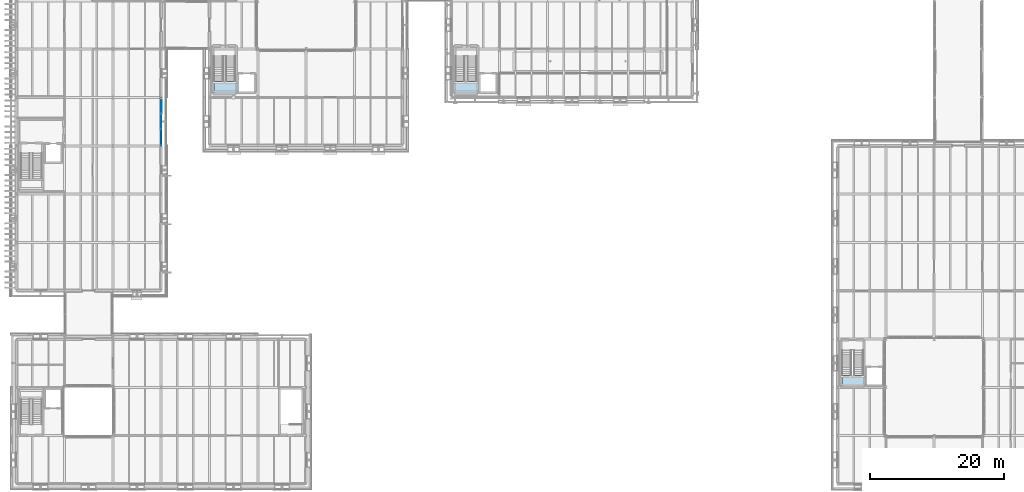
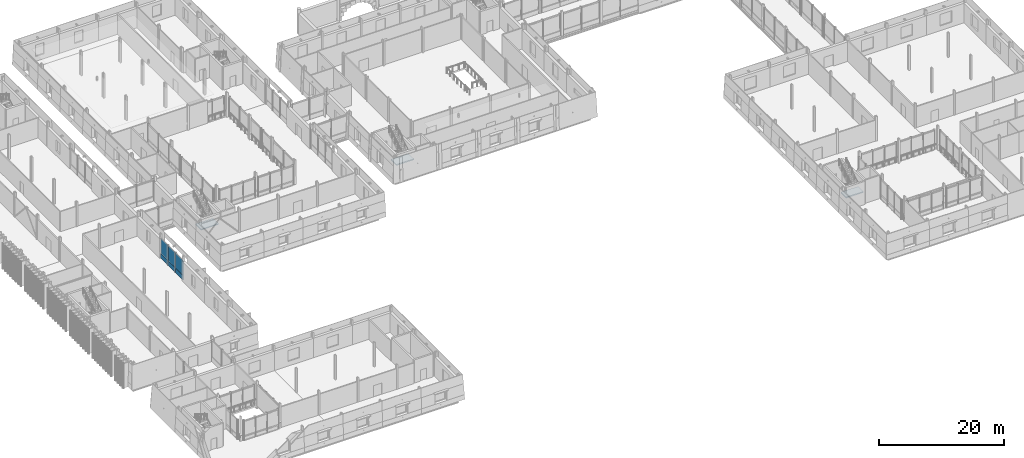
# One storey, part 56 of 121: 6 plates, 3 slabs, 4 elements without a shape of their own.
"""IFC4 building model written with IfcOpenShell, lengths in metres."""

from ifc_helpers import new_model, si_unit, direction, frame, origin, origin_2d, place, context, subcontext, project, spatial, polyline, rectangle, outline, extrude, material, layer, layer_set, type_object, element, aggregate, save


model = new_model("IFC4")

# Units and contexts
model_context = context("Model", 3, precision=1e-05, world=origin(), true_north=direction((0.0, 1.0)))
body_context = subcontext(model_context, "Body", "Model", "MODEL_VIEW")
ifc_project = project(units=[si_unit("LENGTHUNIT", "METRE"), si_unit("AREAUNIT", "SQUARE_METRE"), si_unit("VOLUMEUNIT", "CUBIC_METRE"), si_unit("PLANEANGLEUNIT", "RADIAN"), si_unit("MASSUNIT", "GRAM", prefix="KILO")], contexts=[model_context])

# Site, building, storey
site_placement = place(None, origin())
site = spatial("IfcSite", under=ifc_project, at=site_placement, CompositionType="ELEMENT")
building_placement = place(site_placement, origin())
building = spatial("IfcBuilding", under=site, at=building_placement, Name="Narikvali Park Central Library", CompositionType="ELEMENT")
storey_placement = place(building_placement, frame((0.0, 0.0, 5.39990234375)))
storey = spatial("IfcBuildingStorey", under=building, at=storey_placement, Name="L01", CompositionType="ELEMENT", Elevation=5.39990234375)

# Curtain wall, plates
ifc_material_1 = material(Name="Anodised Bronze Aluminium", Category="aluminium")
ifc_layer_1 = layer(ifc_material_1, 0.219970703125, Name="Anodised Bronze Aluminium")
ifc_layer_set_1 = layer_set([ifc_layer_1], Name="Anodised Bronze Aluminium")
curtain_wall_type = type_object("IfcCurtainWallType", Name="Atrium Tall Curtain Wall System", PredefinedType="NOTDEFINED", material=ifc_layer_set_1)
curtain_wall_placement = place(storey_placement, origin())
curtain_wall = element("IfcCurtainWall", 1, at=curtain_wall_placement, inside=storey, type_object=curtain_wall_type, Name="Atrium Tall Curtain Wall System CW-V5-L01-E-04", PredefinedType="NOTDEFINED")
ifc_material_2 = material(Name="Anodised Bronze Acoustic Spandrel Cassette")
ifc_layer_2 = layer(ifc_material_2, 0.1650390625, Name="Anodised Bronze Acoustic Spandrel Cassette")
ifc_layer_set_2 = layer_set([ifc_layer_2], Name="Anodised Bronze Acoustic Spandrel Cassette")
plate_type_1 = type_object("IfcPlateType", Name="Curtain Wall Acoustic Plenum Louvre Cassette 165", PredefinedType="CURTAIN_PANEL", material=ifc_layer_set_2)
plate_1_placement = place(storey_placement, frame((21.60009765625, 51.625244140625, 0.03515625), z_axis=(0.0, 0.0, 1.0), x_axis=(0.0, 1.0, 0.0)))
plate_1 = element("IfcPlate", 2, at=plate_1_placement, type_object=plate_type_1, Name="CW-V5-L01-E-04 Panel 00-0", PredefinedType="CURTAIN_PANEL", context=body_context, shape_type="SweptSolid", body=[
    extrude(rectangle(XDim=2.36474609375, YDim=0.1650390625, at=origin_2d()), origin(), (0.0, 0.0, 1.0), 0.860107421875),
])
ifc_material_3 = material(Name="Double Low-E Tempered Vision Glazing", Category="glass")
ifc_layer_3 = layer(ifc_material_3, 0.035888671875, Name="Double Low-E Tempered Vision Glazing")
ifc_layer_set_3 = layer_set([ifc_layer_3], Name="Double Low-E Tempered Vision Glazing")
plate_type_2 = type_object("IfcPlateType", Name="Curtain Wall Double Low-E Vision Glazing 36", PredefinedType="CURTAIN_PANEL", material=ifc_layer_set_3)
plate_2_placement = place(storey_placement, frame((21.60009765625, 51.625244140625, 0.905029296875), z_axis=(0.0, 0.0, 1.0), x_axis=(0.0, 1.0, 0.0)))
plate_2 = element("IfcPlate", 3, at=plate_2_placement, type_object=plate_type_2, Name="CW-V5-L01-E-04 Panel 00-1", PredefinedType="CURTAIN_PANEL", context=body_context, shape_type="SweptSolid", body=[
    extrude(rectangle(XDim=2.36474609375, YDim=0.035888671875, at=origin_2d()), origin(), (0.0, 0.0, 1.0), 2.93994140625),
])
plate_3_placement = place(storey_placement, frame((21.60009765625, 54.0, 0.905029296875), z_axis=(0.0, 0.0, 1.0), x_axis=(0.0, 1.0, 0.0)))
plate_3 = element("IfcPlate", 4, at=plate_3_placement, type_object=plate_type_2, Name="CW-V5-L01-E-04 Panel 01-1", PredefinedType="CURTAIN_PANEL", context=body_context, shape_type="SweptSolid", body=[
    extrude(rectangle(XDim=2.36474609375, YDim=0.035888671875, at=origin_2d()), origin(), (0.0, 0.0, 1.0), 2.93994140625),
])
plate_4_placement = place(storey_placement, frame((21.60009765625, 56.374755859375, 0.905029296875), z_axis=(0.0, 0.0, 1.0), x_axis=(0.0, 1.0, 0.0)))
plate_4 = element("IfcPlate", 5, at=plate_4_placement, type_object=plate_type_2, Name="CW-V5-L01-E-04 Panel 02-1", PredefinedType="CURTAIN_PANEL", context=body_context, shape_type="SweptSolid", body=[
    extrude(rectangle(XDim=2.36474609375, YDim=0.035888671875, at=origin_2d()), origin(), (0.0, 0.0, 1.0), 2.93994140625),
])
ifc_material_4 = material(Name="Anodised Bronze Insulated Spandrel Cassette")
ifc_layer_4 = layer(ifc_material_4, 0.110107421875, Name="Anodised Bronze Insulated Spandrel Cassette")
ifc_layer_set_4 = layer_set([ifc_layer_4], Name="Anodised Bronze Insulated Spandrel Cassette")
plate_type_3 = type_object("IfcPlateType", Name="Curtain Wall Insulated Bronze Spandrel Cassette 110", PredefinedType="CURTAIN_PANEL", material=ifc_layer_set_4)
plate_5_placement = place(storey_placement, frame((21.60009765625, 54.0, 0.03515625), z_axis=(0.0, 0.0, 1.0), x_axis=(0.0, 1.0, 0.0)))
plate_5 = element("IfcPlate", 6, at=plate_5_placement, type_object=plate_type_3, Name="CW-V5-L01-E-04 Panel 01-0", PredefinedType="CURTAIN_PANEL", context=body_context, shape_type="SweptSolid", body=[
    extrude(rectangle(XDim=2.36474609375, YDim=0.110107421875, at=origin_2d()), origin(), (0.0, 0.0, 1.0), 0.860107421875),
])
ifc_material_5 = material(Name="Mineral-Wool Shadow-Box Spandrel Assembly")
ifc_layer_5 = layer(ifc_material_5, 0.139892578125, Name="Mineral-Wool Shadow-Box Spandrel Assembly")
ifc_layer_set_5 = layer_set([ifc_layer_5], Name="Mineral-Wool Shadow-Box Spandrel Assembly")
plate_type_4 = type_object("IfcPlateType", Name="Curtain Wall Shadow-Box Mineral Spandrel Panel 140", PredefinedType="CURTAIN_PANEL", material=ifc_layer_set_5)
plate_6_placement = place(storey_placement, frame((21.60009765625, 56.374755859375, 0.03515625), z_axis=(0.0, 0.0, 1.0), x_axis=(0.0, 1.0, 0.0)))
plate_6 = element("IfcPlate", 7, at=plate_6_placement, type_object=plate_type_4, Name="CW-V5-L01-E-04 Panel 02-0", PredefinedType="CURTAIN_PANEL", context=body_context, shape_type="SweptSolid", body=[
    extrude(rectangle(XDim=2.36474609375, YDim=0.139892578125, at=origin_2d()), origin(), (0.0, 0.0, 1.0), 0.860107421875),
])
aggregate(curtain_wall, [plate_1, plate_2, plate_5, plate_3, plate_6, plate_4])

# Stair, slab
ifc_material_6 = material(Name="Concrete C35/45", Category="concrete")
stair_type = type_object("IfcStairType", Name="Core Enclosed Two-Flight Exit Stair", PredefinedType="HALF_TURN_STAIR", material=ifc_material_6)
stair_1_placement = place(storey_placement, origin())
stair_1 = element("IfcStair", 8, at=stair_1_placement, inside=storey, type_object=stair_type, Name="L01 Exit Stair ST-01", PredefinedType="HALF_TURN_STAIR")
ifc_layer_6 = layer(ifc_material_6, 0.199951171875, Name="Concrete C35/45")
ifc_layer_set_6 = layer_set([ifc_layer_6], Name="Concrete C35/45")
slab_type = type_object("IfcSlabType", Name="Stair Half-Landing Concrete Slab 200", PredefinedType="LANDING", material=ifc_layer_set_6)
slab_1_placement = place(storey_placement, frame((0.0, 0.0, 2.2001953125)))
slab_1 = element("IfcSlab", 9, at=slab_1_placement, type_object=slab_type, Name="ST-01 landing 1", PredefinedType="LANDING", context=body_context, shape_type="SweptSolid", body=[
    extrude(outline(polyline([(65.449951171875, 60.044921875), (65.449951171875, 58.300048828125), (68.64990234375, 58.300048828125), (68.64990234375, 60.044921875), (65.449951171875, 60.044921875)])), origin(), (0.0, 0.0, 1.0), 0.199951171875),
])
aggregate(stair_1, [slab_1])

stair_2_placement = place(storey_placement, origin())
stair_2 = element("IfcStair", 10, at=stair_2_placement, inside=storey, type_object=stair_type, Name="L01 Exit Stair ST-07", PredefinedType="HALF_TURN_STAIR")
slab_2_placement = place(storey_placement, frame((0.0, 0.0, 2.2001953125)))
slab_2 = element("IfcSlab", 11, at=slab_2_placement, type_object=slab_type, Name="ST-07 landing 1", PredefinedType="LANDING", context=body_context, shape_type="SweptSolid", body=[
    extrude(outline(polyline([(29.449951171875, 60.044921875), (29.449951171875, 58.300048828125), (32.64990234375, 58.300048828125), (32.64990234375, 60.044921875), (29.449951171875, 60.044921875)])), origin(), (0.0, 0.0, 1.0), 0.199951171875),
])
aggregate(stair_2, [slab_2])

stair_3_placement = place(storey_placement, origin())
stair_3 = element("IfcStair", 12, at=stair_3_placement, inside=storey, type_object=stair_type, Name="L01 Exit Stair ST-11", PredefinedType="HALF_TURN_STAIR")
slab_3_placement = place(storey_placement, frame((0.0, 0.0, 2.2001953125)))
slab_3 = element("IfcSlab", 13, at=slab_3_placement, type_object=slab_type, Name="ST-11 landing 1", PredefinedType="LANDING", context=body_context, shape_type="SweptSolid", body=[
    extrude(outline(polyline([(123.050048828125, 16.195068359375), (123.050048828125, 14.550048828125), (126.25, 14.550048828125), (126.25, 16.195068359375), (123.050048828125, 16.195068359375)])), origin(), (0.0, 0.0, 1.0), 0.199951171875),
])
aggregate(stair_3, [slab_3])

save(model, "model.ifc")
